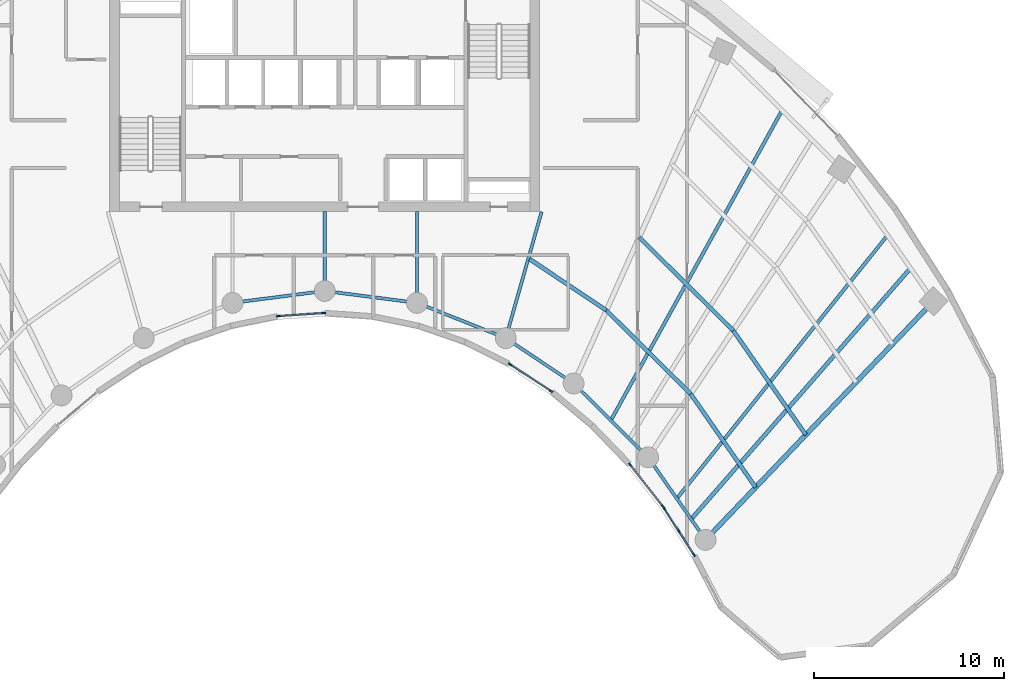
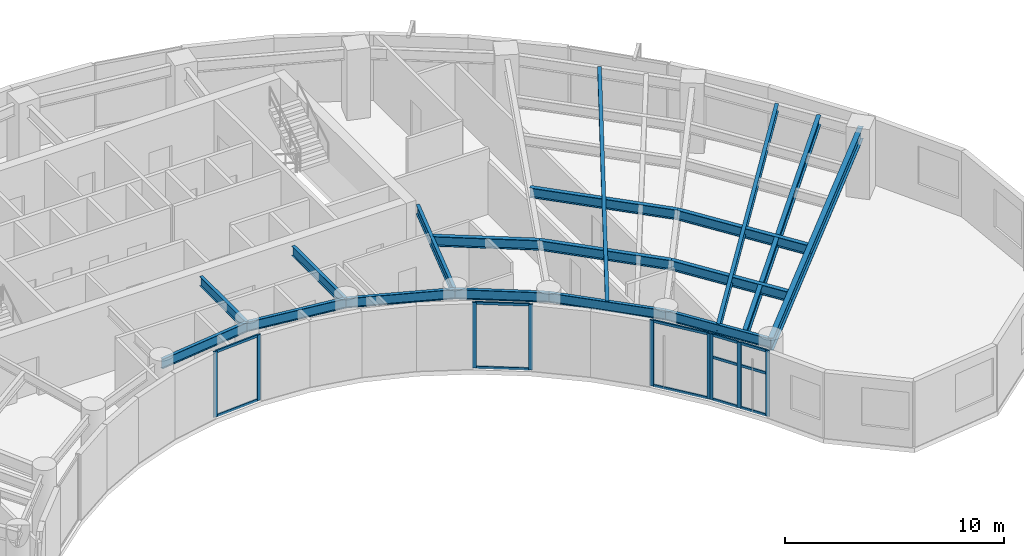
# One storey, part 3 of 13: 21 members, 18 beams, 4 elements without a shape of their own.
"""IFC4 building model written with IfcOpenShell, lengths in metres."""

from ifc_helpers import new_model, si_unit, direction, frame, origin, origin_2d, place, context, subcontext, project, spatial, rectangle, i_section, extrude, source, transform, mapped, material, layer, layer_set, material_profile, profile_set, type_object, type_shapes, element, aggregate, save


model = new_model("IFC4")

# Units and contexts
model_context = context("Model", 3, precision=1e-05, world=origin(), true_north=direction((0.0, 1.0)))
body_context = subcontext(model_context, "Body", "Model", "MODEL_VIEW")
ifc_project = project(units=[si_unit("LENGTHUNIT", "METRE"), si_unit("AREAUNIT", "SQUARE_METRE"), si_unit("VOLUMEUNIT", "CUBIC_METRE"), si_unit("PLANEANGLEUNIT", "RADIAN"), si_unit("MASSUNIT", "GRAM", prefix="KILO")], contexts=[model_context])

# Site, building, storey
site_placement = place(None, origin())
site = spatial("IfcSite", under=ifc_project, at=site_placement, CompositionType="ELEMENT")
building_placement = place(site_placement, origin())
building = spatial("IfcBuilding", under=site, at=building_placement, Name="Breltana Convention Tower", CompositionType="ELEMENT")
storey_placement = place(building_placement, frame((0.0, 0.0, 166.199951171875)))
storey = spatial("IfcBuildingStorey", under=building, at=storey_placement, Name="L40", CompositionType="ELEMENT", Elevation=166.199951171875)

# Beams
ifc_material_1 = material(Name="Steel ASTM A992 Grade 50", Category="steel")
ifc_material_profile_1 = material_profile(ifc_material_1, i_section(OverallWidth=0.179931640625, OverallDepth=0.4130859375, WebThickness=0.009765625, FlangeThickness=0.01611328125, at=origin_2d()), Name="W16X50")
ifc_profile_set_1 = profile_set([ifc_material_profile_1], Name="Steel ASTM A992 Grade 50")
beam_type_1 = type_object("IfcBeamType", Name="BM-JSG-08", PredefinedType="JOIST", material=ifc_profile_set_1)
shared_shape_1 = source(origin(), body_context, "Body", "SweptSolid", [
    extrude(i_section(OverallWidth=0.179931640625, OverallDepth=0.4130859375, WebThickness=0.009765625, FlangeThickness=0.01611328125, at=origin_2d()), origin(), (0.0, 0.0, 1.0), 18.617431640625),
])
beam_1_placement = place(storey_placement, frame((63.038818359375, 49.234130859375, 3.443603515625), z_axis=(0.483405602507, 0.875396495004, 0.0), x_axis=(-0.875396495004, 0.483405602507, 0.0)))
element("IfcBeam", 1, at=beam_1_placement, inside=storey, type_object=beam_type_1, Name="L40 Mid-Bay Radial Trimmer 09", PredefinedType="JOIST", context=body_context, shape_type="MappedRepresentation", body=[
    mapped(shared_shape_1, transform((0.0, 0.0, 0.0), scale=1.0)),
])
shared_shape_2 = source(origin(), body_context, "Body", "SweptSolid", [
    extrude(i_section(OverallWidth=0.179931640625, OverallDepth=0.4130859375, WebThickness=0.009765625, FlangeThickness=0.01611328125, at=origin_2d()), origin(), (0.0, 0.0, 1.0), 17.7236328125),
])
beam_2_placement = place(storey_placement, frame((66.505615234375, 45.124267578125, 3.443603515625), z_axis=(0.624829427563, 0.78076128647, 0.0), x_axis=(-0.78076128647, 0.624829427563, 0.0)))
element("IfcBeam", 2, at=beam_2_placement, inside=storey, type_object=beam_type_1, Name="L40 Mid-Bay Radial Trimmer 10", PredefinedType="JOIST", context=body_context, shape_type="MappedRepresentation", body=[
    mapped(shared_shape_2, transform((0.0, 0.0, 0.0), scale=1.0)),
])
ifc_material_profile_2 = material_profile(ifc_material_1, i_section(OverallWidth=0.214111328125, OverallDepth=0.549072265625, WebThickness=0.0146484375, FlangeThickness=0.023681640625, at=origin_2d()), Name="W21X93")
ifc_profile_set_2 = profile_set([ifc_material_profile_2], Name="Steel ASTM A992 Grade 50")
beam_type_2 = type_object("IfcBeamType", Name="BM-JSG-03", PredefinedType="JOIST", material=ifc_profile_set_2)
shared_shape_3 = source(origin(), body_context, "Body", "SweptSolid", [
    extrude(i_section(OverallWidth=0.214111328125, OverallDepth=0.549072265625, WebThickness=0.0146484375, FlangeThickness=0.023681640625, at=origin_2d()), origin(), (0.0, 0.0, 1.0), 17.515625),
])
beam_3_placement = place(storey_placement, frame((67.260498046875, 44.03955078125, 3.37548828125), z_axis=(0.658051548324, 0.752972881151, 0.0), x_axis=(-0.752972881151, 0.658051548324, 0.0)))
element("IfcBeam", 3, at=beam_3_placement, inside=storey, type_object=beam_type_2, Name="L40 Quarter-Bay Radial Trimmer 10", PredefinedType="JOIST", context=body_context, shape_type="MappedRepresentation", body=[
    mapped(shared_shape_3, transform((0.0, 0.0, 0.0), scale=1.0)),
])
shared_shape_4 = source(origin(), body_context, "Body", "SweptSolid", [
    extrude(i_section(OverallWidth=0.214111328125, OverallDepth=0.549072265625, WebThickness=0.0146484375, FlangeThickness=0.023681640625, at=origin_2d()), origin(), (0.0, 0.0, 1.0), 4.854736328125),
])
beam_4_placement = place(storey_placement, frame((58.767578125, 57.71240234375, 3.37548828125), z_axis=(0.831485074305, -0.555547091801, 0.0), x_axis=(0.555547091801, 0.831485074305, 0.0)))
element("IfcBeam", 4, at=beam_4_placement, inside=storey, type_object=beam_type_2, Name="L40 Composite Floor Joist 08.1", PredefinedType="JOIST", context=body_context, shape_type="MappedRepresentation", body=[
    mapped(shared_shape_4, transform((0.0, 0.0, 0.0), scale=1.0)),
])
shared_shape_5 = source(origin(), body_context, "Body", "SweptSolid", [
    extrude(i_section(OverallWidth=0.214111328125, OverallDepth=0.549072265625, WebThickness=0.0146484375, FlangeThickness=0.023681640625, at=origin_2d()), origin(), (0.0, 0.0, 1.0), 6.2373046875),
])
beam_5_placement = place(storey_placement, frame((62.80419921875, 55.015380859375, 3.37548828125), z_axis=(0.710114292485, -0.704086423394, 0.0), x_axis=(0.704086423394, 0.710114292485, 0.0)))
element("IfcBeam", 5, at=beam_5_placement, inside=storey, type_object=beam_type_2, Name="L40 Composite Floor Joist 09.1", PredefinedType="JOIST", context=body_context, shape_type="MappedRepresentation", body=[
    mapped(shared_shape_5, transform((0.0, 0.0, 0.0), scale=1.0)),
])
shared_shape_6 = source(origin(), body_context, "Body", "SweptSolid", [
    extrude(i_section(OverallWidth=0.214111328125, OverallDepth=0.549072265625, WebThickness=0.0146484375, FlangeThickness=0.023681640625, at=origin_2d()), origin(), (0.0, 0.0, 1.0), 6.963134765625),
])
beam_6_placement = place(storey_placement, frame((64.526611328125, 58.8564453125, 3.37548828125), z_axis=(0.71009817493, -0.704102678564, 0.0), x_axis=(0.704102678564, 0.71009817493, 0.0)))
element("IfcBeam", 6, at=beam_6_placement, inside=storey, type_object=beam_type_2, Name="L40 Composite Floor Joist 09.2", PredefinedType="JOIST", context=body_context, shape_type="MappedRepresentation", body=[
    mapped(shared_shape_6, transform((0.0, 0.0, 0.0), scale=1.0)),
])
shared_shape_7 = source(origin(), body_context, "Body", "SweptSolid", [
    extrude(i_section(OverallWidth=0.214111328125, OverallDepth=0.549072265625, WebThickness=0.0146484375, FlangeThickness=0.023681640625, at=origin_2d()), origin(), (0.0, 0.0, 1.0), 5.982421875),
])
beam_7_placement = place(storey_placement, frame((67.2333984375, 50.623779296875, 3.37548828125), z_axis=(0.571211549446, -0.82080287876, 0.0), x_axis=(0.82080287876, 0.571211549446, 0.0)))
element("IfcBeam", 7, at=beam_7_placement, inside=storey, type_object=beam_type_2, Name="L40 Composite Floor Joist 10.1", PredefinedType="JOIST", context=body_context, shape_type="MappedRepresentation", body=[
    mapped(shared_shape_7, transform((0.0, 0.0, 0.0), scale=1.0)),
])
shared_shape_8 = source(origin(), body_context, "Body", "SweptSolid", [
    extrude(i_section(OverallWidth=0.214111328125, OverallDepth=0.549072265625, WebThickness=0.0146484375, FlangeThickness=0.023681640625, at=origin_2d()), origin(), (0.0, 0.0, 1.0), 6.677978515625),
])
beam_8_placement = place(storey_placement, frame((69.47119140625, 53.95361328125, 3.37548828125), z_axis=(0.571193018768, -0.820815774282, 0.0), x_axis=(0.820815774282, 0.571193018768, 0.0)))
element("IfcBeam", 8, at=beam_8_placement, inside=storey, type_object=beam_type_2, Name="L40 Composite Floor Joist 10.2", PredefinedType="JOIST", context=body_context, shape_type="MappedRepresentation", body=[
    mapped(shared_shape_8, transform((0.0, 0.0, 0.0), scale=1.0)),
])
ifc_material_profile_3 = material_profile(ifc_material_1, i_section(OverallWidth=0.25390625, OverallDepth=0.68798828125, WebThickness=0.01318359375, FlangeThickness=0.02099609375, at=origin_2d()), Name="W27X102")
ifc_profile_set_3 = profile_set([ifc_material_profile_3], Name="Steel ASTM A992 Grade 50")
beam_type_3 = type_object("IfcBeamType", Name="BM-RG-W27X102", PredefinedType="USERDEFINED", material=ifc_profile_set_3)
shared_shape_9 = source(origin(), body_context, "Body", "SweptSolid", [
    extrude(i_section(OverallWidth=0.25390625, OverallDepth=0.68798828125, WebThickness=0.01318359375, FlangeThickness=0.02099609375, at=origin_2d()), origin(), (0.0, 0.0, 1.0), 17.341064453125),
])
type_shapes(beam_type_3, [shared_shape_9])
beam_9_placement = place(storey_placement, frame((68.015380859375, 42.95458984375, 3.30615234375), z_axis=(0.690716462293, 0.723125693581, 0.0), x_axis=(-0.723125693581, 0.690716462293, 0.0)))
element("IfcBeam", 9, at=beam_9_placement, inside=storey, type_object=beam_type_3, Name="L40 Radial Floor Girder R11", ObjectType="GIRDER", PredefinedType="USERDEFINED", context=body_context, shape_type="MappedRepresentation", body=[
    mapped(shared_shape_9, transform((0.0, 0.0, 0.0), scale=1.0)),
])
ifc_material_profile_4 = material_profile(ifc_material_1, i_section(OverallWidth=0.166015625, OverallDepth=0.534912109375, WebThickness=0.01025390625, FlangeThickness=0.0166015625, at=origin_2d()), Name="W21X57")
ifc_profile_set_4 = profile_set([ifc_material_profile_4], Name="Steel ASTM A992 Grade 50")
beam_type_4 = type_object("IfcBeamType", Name="BM-BM-W21X57", PredefinedType="BEAM", material=ifc_profile_set_4)
shared_shape_10 = source(origin(), body_context, "Body", "SweptSolid", [
    extrude(i_section(OverallWidth=0.166015625, OverallDepth=0.534912109375, WebThickness=0.01025390625, FlangeThickness=0.0166015625, at=origin_2d()), origin(), (0.0, 0.0, 1.0), 6.904541015625),
])
type_shapes(beam_type_4, [shared_shape_10])
beam_10_placement = place(storey_placement, frame((59.39990234375, 60.199951171875, 3.382568359375), z_axis=(-0.273006781054, -0.962012108811, 0.0), x_axis=(0.962012108811, -0.273006781054, 0.0)))
element("IfcBeam", 10, at=beam_10_placement, inside=storey, type_object=beam_type_4, Name="L40 South Core Tie Girder R08", PredefinedType="BEAM", context=body_context, shape_type="MappedRepresentation", body=[
    mapped(shared_shape_10, transform((0.0, 0.0, 0.0), scale=1.0)),
])
shared_shape_11 = source(origin(), body_context, "Body", "SweptSolid", [
    extrude(i_section(OverallWidth=0.166015625, OverallDepth=0.534912109375, WebThickness=0.01025390625, FlangeThickness=0.0166015625, at=origin_2d()), origin(), (0.0, 0.0, 1.0), 4.789306640625),
])
beam_11_placement = place(storey_placement, frame((52.846435546875, 60.199951171875, 3.382568359375), z_axis=(0.0, -1.0, 0.0), x_axis=(1.0, 0.0, 0.0)))
element("IfcBeam", 11, at=beam_11_placement, inside=storey, type_object=beam_type_4, Name="L40 South Core Tie Girder R07", PredefinedType="BEAM", context=body_context, shape_type="MappedRepresentation", body=[
    mapped(shared_shape_11, transform((0.0, 0.0, 0.0), scale=1.0)),
])
shared_shape_12 = source(origin(), body_context, "Body", "SweptSolid", [
    extrude(i_section(OverallWidth=0.166015625, OverallDepth=0.534912109375, WebThickness=0.01025390625, FlangeThickness=0.0166015625, at=origin_2d()), origin(), (0.0, 0.0, 1.0), 4.1640625),
])
beam_12_placement = place(storey_placement, frame((48.0, 60.199951171875, 3.382568359375), z_axis=(0.0, -1.0, 0.0), x_axis=(1.0, 0.0, 0.0)))
element("IfcBeam", 12, at=beam_12_placement, inside=storey, type_object=beam_type_4, Name="L40 South Core Tie Girder R06", PredefinedType="BEAM", context=body_context, shape_type="MappedRepresentation", body=[
    mapped(shared_shape_12, transform((0.0, 0.0, 0.0), scale=1.0)),
])
shared_shape_13 = source(origin(), body_context, "Body", "SweptSolid", [
    extrude(i_section(OverallWidth=0.166015625, OverallDepth=0.534912109375, WebThickness=0.01025390625, FlangeThickness=0.0166015625, at=origin_2d()), origin(), (0.0, 0.0, 1.0), 5.022705078125),
])
beam_13_placement = place(storey_placement, frame((52.846435546875, 55.41064453125, 3.382568359375), z_axis=(0.929458966248, -0.368925507469, 0.0), x_axis=(0.368925507469, 0.929458966248, 0.0)))
element("IfcBeam", 13, at=beam_13_placement, inside=storey, type_object=beam_type_4, Name="L40 Inner Ring Beam 07", PredefinedType="BEAM", context=body_context, shape_type="MappedRepresentation", body=[
    mapped(shared_shape_13, transform((0.0, 0.0, 0.0), scale=1.0)),
])
shared_shape_14 = source(origin(), body_context, "Body", "SweptSolid", [
    extrude(i_section(OverallWidth=0.166015625, OverallDepth=0.534912109375, WebThickness=0.01025390625, FlangeThickness=0.0166015625, at=origin_2d()), origin(), (0.0, 0.0, 1.0), 4.88671875),
])
for number, where, z_axis, x_axis, name in (
    (14, (43.153564453125, 55.41064453125, 3.382568359375), (0.991780525565, 0.127950729231, 0.0), (-0.127950729231, 0.991780525565, 0.0), "L40 Inner Ring Beam 05"),
    (15, (48.0, 56.035888671875, 3.382568359375), (0.991780525565, -0.127950729231, 0.0), (0.127950729231, 0.991780525565, 0.0), "L40 Inner Ring Beam 06"),
):
    element("IfcBeam", number, at=place(storey_placement, frame(where, z_axis=z_axis, x_axis=x_axis)), inside=storey, type_object=beam_type_4, Name=name, PredefinedType="BEAM", context=body_context, shape_type="MappedRepresentation", body=[
        mapped(shared_shape_14, transform((0.0, 0.0, 0.0), scale=1.0)),
    ])
shared_shape_15 = source(origin(), body_context, "Body", "SweptSolid", [
    extrude(i_section(OverallWidth=0.166015625, OverallDepth=0.534912109375, WebThickness=0.01025390625, FlangeThickness=0.0166015625, at=origin_2d()), origin(), (0.0, 0.0, 1.0), 4.2900390625),
])
beam_14_placement = place(storey_placement, frame((57.514892578125, 53.5576171875, 3.382568359375), z_axis=(0.831515827753, -0.555501060482, 0.0), x_axis=(0.555501060482, 0.831515827753, 0.0)))
element("IfcBeam", 16, at=beam_14_placement, inside=storey, type_object=beam_type_4, Name="L40 Inner Ring Beam 08", PredefinedType="BEAM", context=body_context, shape_type="MappedRepresentation", body=[
    mapped(shared_shape_15, transform((0.0, 0.0, 0.0), scale=1.0)),
])
shared_shape_16 = source(origin(), body_context, "Body", "SweptSolid", [
    extrude(i_section(OverallWidth=0.166015625, OverallDepth=0.534912109375, WebThickness=0.01025390625, FlangeThickness=0.0166015625, at=origin_2d()), origin(), (0.0, 0.0, 1.0), 5.51171875),
])
beam_15_placement = place(storey_placement, frame((61.08203125, 51.174560546875, 3.382568359375), z_axis=(0.710090360749, -0.704110559196, 0.0), x_axis=(0.704110559196, 0.710090360749, 0.0)))
element("IfcBeam", 17, at=beam_15_placement, inside=storey, type_object=beam_type_4, Name="L40 Inner Ring Beam 09", PredefinedType="BEAM", context=body_context, shape_type="MappedRepresentation", body=[
    mapped(shared_shape_16, transform((0.0, 0.0, 0.0), scale=1.0)),
])
shared_shape_17 = source(origin(), body_context, "Body", "SweptSolid", [
    extrude(i_section(OverallWidth=0.166015625, OverallDepth=0.534912109375, WebThickness=0.01025390625, FlangeThickness=0.0166015625, at=origin_2d()), origin(), (0.0, 0.0, 1.0), 5.286376953125),
])
beam_16_placement = place(storey_placement, frame((64.995849609375, 47.293701171875, 3.382568359375), z_axis=(0.571194382458, -0.82081482531, 0.0), x_axis=(0.82081482531, 0.571194382458, 0.0)))
element("IfcBeam", 18, at=beam_16_placement, inside=storey, type_object=beam_type_4, Name="L40 Inner Ring Beam 10", PredefinedType="BEAM", context=body_context, shape_type="MappedRepresentation", body=[
    mapped(shared_shape_17, transform((0.0, 0.0, 0.0), scale=1.0)),
])

# Curtain wall, members
ifc_material_2 = material(Name="Aluminium Anodised Bronze Frame", Category="aluminium")
ifc_layer = layer(ifc_material_2, 0.18994140625, Name="Aluminium Anodised Bronze Frame")
ifc_layer_set = layer_set([ifc_layer], Name="Aluminium Anodised Bronze Frame")
curtain_wall_type = type_object("IfcCurtainWallType", Name="CW-SYS-1", PredefinedType="NOTDEFINED", material=ifc_layer_set)
curtain_wall_1_placement = place(storey_placement, origin())
curtain_wall_1 = element("IfcCurtainWall", 19, at=curtain_wall_1_placement, inside=storey, type_object=curtain_wall_type, Name="L40 inner south-court glazing 1", PredefinedType="NOTDEFINED")
ifc_material_3 = material(Name="Aluminium Anodised Bronze", Category="aluminium")
ifc_material_profile_5 = material_profile(ifc_material_3, rectangle(XDim=0.080078125, YDim=0.199951171875, at=origin_2d()), Name="CWM-80X200")
ifc_profile_set_5 = profile_set([ifc_material_profile_5], Name="Aluminium Anodised Bronze")
member_type_1 = type_object("IfcMemberType", Name="CWM-200", PredefinedType="MULLION", material=ifc_profile_set_5)
shared_shape_18 = source(origin(), body_context, "Body", "SweptSolid", [
    extrude(rectangle(XDim=0.080078125, YDim=0.199951171875, at=origin_2d()), origin(), (0.0, 0.0, 1.0), 3.650146484375),
])
member_1_placement = place(storey_placement, frame((67.40966796875, 42.17041015625, 0.0), z_axis=(0.0, 0.0, 1.0), x_axis=(-0.841546744491, -0.540184298954, 0.0)))
member_1 = element("IfcMember", 20, at=member_1_placement, type_object=member_type_1, Name="CW-01 mullion 1", PredefinedType="MULLION", context=body_context, shape_type="MappedRepresentation", body=[
    mapped(shared_shape_18, transform((0.0, 0.0, 0.0), scale=1.0)),
])
member_2_placement = place(storey_placement, frame((66.626220703125, 43.390869140625, 0.0), z_axis=(0.0, 0.0, 1.0), x_axis=(-0.841546744491, -0.540184298954, 0.0)))
member_2 = element("IfcMember", 21, at=member_2_placement, type_object=member_type_1, Name="CW-01 mullion 2", PredefinedType="MULLION", context=body_context, shape_type="MappedRepresentation", body=[
    mapped(shared_shape_18, transform((0.0, 0.0, 0.0), scale=1.0)),
])
member_3_placement = place(storey_placement, frame((65.843017578125, 44.611328125, 0.0), z_axis=(0.0, 0.0, 1.0), x_axis=(-0.841546744491, -0.540184298954, 0.0)))
member_3 = element("IfcMember", 22, at=member_3_placement, type_object=member_type_1, Name="CW-01 mullion 3", PredefinedType="MULLION", context=body_context, shape_type="MappedRepresentation", body=[
    mapped(shared_shape_18, transform((0.0, 0.0, 0.0), scale=1.0)),
])

curtain_wall_2_placement = place(storey_placement, origin())
curtain_wall_2 = element("IfcCurtainWall", 23, at=curtain_wall_2_placement, inside=storey, type_object=curtain_wall_type, Name="L40 inner south-court glazing 2", PredefinedType="NOTDEFINED")
member_4_placement = place(storey_placement, frame((65.78662109375, 44.6904296875, 0.0), z_axis=(0.0, 0.0, 1.0), x_axis=(-0.786051168431, -0.618161435717, 0.0)))
member_4 = element("IfcMember", 24, at=member_4_placement, type_object=member_type_1, Name="CW-01 mullion 1", PredefinedType="MULLION", context=body_context, shape_type="MappedRepresentation", body=[
    mapped(shared_shape_18, transform((0.0, 0.0, 0.0), scale=1.0)),
])
member_5_placement = place(storey_placement, frame((64.045166015625, 46.905029296875, 0.0), z_axis=(0.0, 0.0, 1.0), x_axis=(-0.786051168431, -0.618161435717, 0.0)))
member_5 = element("IfcMember", 25, at=member_5_placement, type_object=member_type_1, Name="CW-01 mullion 2", PredefinedType="MULLION", context=body_context, shape_type="MappedRepresentation", body=[
    mapped(shared_shape_18, transform((0.0, 0.0, 0.0), scale=1.0)),
])

curtain_wall_3_placement = place(storey_placement, origin())
curtain_wall_3 = element("IfcCurtainWall", 26, at=curtain_wall_3_placement, inside=storey, type_object=curtain_wall_type, Name="L40 inner south-court glazing 3", PredefinedType="NOTDEFINED")
member_6_placement = place(storey_placement, frame((59.894775390625, 50.76904296875, 0.0), z_axis=(0.0, 0.0, 1.0), x_axis=(-0.548751973252, -0.835985210307, 0.0)))
member_6 = element("IfcMember", 27, at=member_6_placement, type_object=member_type_1, Name="CW-01 mullion 1", PredefinedType="MULLION", context=body_context, shape_type="MappedRepresentation", body=[
    mapped(shared_shape_18, transform((0.0, 0.0, 0.0), scale=1.0)),
])
member_7_placement = place(storey_placement, frame((57.744384765625, 52.1806640625, 0.0), z_axis=(0.0, 0.0, 1.0), x_axis=(-0.548751973252, -0.835985210307, 0.0)))
member_7 = element("IfcMember", 28, at=member_7_placement, type_object=member_type_1, Name="CW-01 mullion 2", PredefinedType="MULLION", context=body_context, shape_type="MappedRepresentation", body=[
    mapped(shared_shape_18, transform((0.0, 0.0, 0.0), scale=1.0)),
])

curtain_wall_4_placement = place(storey_placement, origin())
curtain_wall_4 = element("IfcCurtainWall", 29, at=curtain_wall_4_placement, inside=storey, type_object=curtain_wall_type, Name="L40 inner south-court glazing 4", PredefinedType="NOTDEFINED")
member_8_placement = place(storey_placement, frame((47.947998046875, 54.872802734375, 0.0), z_axis=(0.0, 0.0, 1.0), x_axis=(0.067732810965, -0.997703496195, 0.0)))
member_8 = element("IfcMember", 30, at=member_8_placement, type_object=member_type_1, Name="CW-01 mullion 1", PredefinedType="MULLION", context=body_context, shape_type="MappedRepresentation", body=[
    mapped(shared_shape_18, transform((0.0, 0.0, 0.0), scale=1.0)),
])
member_9_placement = place(storey_placement, frame((45.56201171875, 54.7109375, 0.0), z_axis=(0.0, 0.0, 1.0), x_axis=(0.067732810965, -0.997703496195, 0.0)))
member_9 = element("IfcMember", 31, at=member_9_placement, type_object=member_type_1, Name="CW-01 mullion 2", PredefinedType="MULLION", context=body_context, shape_type="MappedRepresentation", body=[
    mapped(shared_shape_18, transform((0.0, 0.0, 0.0), scale=1.0)),
])

# Member
ifc_material_profile_6 = material_profile(ifc_material_3, rectangle(XDim=0.080078125, YDim=0.139892578125, at=origin_2d()), Name="CWT-80X140")
ifc_profile_set_6 = profile_set([ifc_material_profile_6], Name="Aluminium Anodised Bronze")
member_type_2 = type_object("IfcMemberType", Name="CWT-140", PredefinedType="USERDEFINED", material=ifc_profile_set_6)
shared_shape_19 = source(origin(), body_context, "Body", "SweptSolid", [
    extrude(rectangle(XDim=0.080078125, YDim=0.139892578125, at=origin_2d()), origin(), (0.0, 0.0, 1.0), 1.3701171875),
])
member_10_placement = place(storey_placement, frame((67.38818359375, 42.2041015625, 0.0400390625), z_axis=(-0.540226175019, 0.841519863, 0.0), x_axis=(-0.841519863, -0.540226175019, 0.0)))
member_10 = element("IfcMember", 32, at=member_10_placement, type_object=member_type_2, Name="CW-01 transom 1.1", ObjectType="TRANSOM", PredefinedType="USERDEFINED", context=body_context, shape_type="MappedRepresentation", body=[
    mapped(shared_shape_19, transform((0.0, 0.0, 0.0), scale=1.0)),
])

member_11_placement = place(storey_placement, frame((67.38818359375, 42.2041015625, 2.37255859375), z_axis=(-0.540226175019, 0.841519863, 0.0), x_axis=(-0.841519863, -0.540226175019, 0.0)))
member_11 = element("IfcMember", 33, at=member_11_placement, type_object=member_type_2, Name="CW-01 transom 1.2", ObjectType="TRANSOM", PredefinedType="USERDEFINED", context=body_context, shape_type="MappedRepresentation", body=[
    mapped(shared_shape_19, transform((0.0, 0.0, 0.0), scale=1.0)),
])

member_12_placement = place(storey_placement, frame((67.38818359375, 42.2041015625, 3.610107421875), z_axis=(-0.540226175019, 0.841519863, 0.0), x_axis=(-0.841519863, -0.540226175019, 0.0)))
member_12 = element("IfcMember", 34, at=member_12_placement, type_object=member_type_2, Name="CW-01 transom 1.3", ObjectType="TRANSOM", PredefinedType="USERDEFINED", context=body_context, shape_type="MappedRepresentation", body=[
    mapped(shared_shape_19, transform((0.0, 0.0, 0.0), scale=1.0)),
])

member_13_placement = place(storey_placement, frame((66.604736328125, 43.424560546875, 0.0400390625), z_axis=(-0.540226175019, 0.841519863, 0.0), x_axis=(-0.841519863, -0.540226175019, 0.0)))
member_13 = element("IfcMember", 35, at=member_13_placement, type_object=member_type_2, Name="CW-01 transom 2.1", ObjectType="TRANSOM", PredefinedType="USERDEFINED", context=body_context, shape_type="MappedRepresentation", body=[
    mapped(shared_shape_19, transform((0.0, 0.0, 0.0), scale=1.0)),
])

member_14_placement = place(storey_placement, frame((66.604736328125, 43.424560546875, 2.37255859375), z_axis=(-0.540226175019, 0.841519863, 0.0), x_axis=(-0.841519863, -0.540226175019, 0.0)))
member_14 = element("IfcMember", 36, at=member_14_placement, type_object=member_type_2, Name="CW-01 transom 2.2", ObjectType="TRANSOM", PredefinedType="USERDEFINED", context=body_context, shape_type="MappedRepresentation", body=[
    mapped(shared_shape_19, transform((0.0, 0.0, 0.0), scale=1.0)),
])

member_15_placement = place(storey_placement, frame((66.604736328125, 43.424560546875, 3.610107421875), z_axis=(-0.540226175019, 0.841519863, 0.0), x_axis=(-0.841519863, -0.540226175019, 0.0)))
member_15 = element("IfcMember", 37, at=member_15_placement, type_object=member_type_2, Name="CW-01 transom 2.3", ObjectType="TRANSOM", PredefinedType="USERDEFINED", context=body_context, shape_type="MappedRepresentation", body=[
    mapped(shared_shape_19, transform((0.0, 0.0, 0.0), scale=1.0)),
])

aggregate(curtain_wall_1, [member_1, member_2, member_3, member_10, member_11, member_12, member_13, member_14, member_15])

shared_shape_20 = source(origin(), body_context, "Body", "SweptSolid", [
    extrude(rectangle(XDim=0.080078125, YDim=0.139892578125, at=origin_2d()), origin(), (0.0, 0.0, 1.0), 2.7373046875),
])
member_16_placement = place(storey_placement, frame((65.761962890625, 44.721923828125, 0.0400390625), z_axis=(-0.618179938224, 0.786036617453, 0.0), x_axis=(-0.786036617453, -0.618179938224, 0.0)))
member_16 = element("IfcMember", 38, at=member_16_placement, type_object=member_type_2, Name="CW-01 transom 1.1", ObjectType="TRANSOM", PredefinedType="USERDEFINED", context=body_context, shape_type="MappedRepresentation", body=[
    mapped(shared_shape_20, transform((0.0, 0.0, 0.0), scale=1.0)),
])

member_17_placement = place(storey_placement, frame((65.761962890625, 44.721923828125, 3.610107421875), z_axis=(-0.618179938224, 0.786036617453, 0.0), x_axis=(-0.786036617453, -0.618179938224, 0.0)))
member_17 = element("IfcMember", 39, at=member_17_placement, type_object=member_type_2, Name="CW-01 transom 1.2", ObjectType="TRANSOM", PredefinedType="USERDEFINED", context=body_context, shape_type="MappedRepresentation", body=[
    mapped(shared_shape_20, transform((0.0, 0.0, 0.0), scale=1.0)),
])

aggregate(curtain_wall_2, [member_4, member_5, member_16, member_17])

shared_shape_21 = source(origin(), body_context, "Body", "SweptSolid", [
    extrude(rectangle(XDim=0.080078125, YDim=0.139892578125, at=origin_2d()), origin(), (0.0, 0.0, 1.0), 2.4921875),
])
member_18_placement = place(storey_placement, frame((59.861328125, 50.791015625, 0.0400390625), z_axis=(-0.83597769484, 0.548763422369, 0.0), x_axis=(-0.548763422369, -0.83597769484, 0.0)))
member_18 = element("IfcMember", 40, at=member_18_placement, type_object=member_type_2, Name="CW-01 transom 1.1", ObjectType="TRANSOM", PredefinedType="USERDEFINED", context=body_context, shape_type="MappedRepresentation", body=[
    mapped(shared_shape_21, transform((0.0, 0.0, 0.0), scale=1.0)),
])

member_19_placement = place(storey_placement, frame((59.861328125, 50.791015625, 3.610107421875), z_axis=(-0.83597769484, 0.548763422369, 0.0), x_axis=(-0.548763422369, -0.83597769484, 0.0)))
member_19 = element("IfcMember", 41, at=member_19_placement, type_object=member_type_2, Name="CW-01 transom 1.2", ObjectType="TRANSOM", PredefinedType="USERDEFINED", context=body_context, shape_type="MappedRepresentation", body=[
    mapped(shared_shape_21, transform((0.0, 0.0, 0.0), scale=1.0)),
])

aggregate(curtain_wall_3, [member_6, member_7, member_18, member_19])

shared_shape_22 = source(origin(), body_context, "Body", "SweptSolid", [
    extrude(rectangle(XDim=0.080078125, YDim=0.139892578125, at=origin_2d()), origin(), (0.0, 0.0, 1.0), 2.3115234375),
])
member_20_placement = place(storey_placement, frame((47.907958984375, 54.8701171875, 0.0400390625), z_axis=(-0.997705471663, -0.067703706049, 0.0), x_axis=(0.067703706049, -0.997705471663, 0.0)))
member_20 = element("IfcMember", 42, at=member_20_placement, type_object=member_type_2, Name="CW-01 transom 1.1", ObjectType="TRANSOM", PredefinedType="USERDEFINED", context=body_context, shape_type="MappedRepresentation", body=[
    mapped(shared_shape_22, transform((0.0, 0.0, 0.0), scale=1.0)),
])

member_21_placement = place(storey_placement, frame((47.907958984375, 54.8701171875, 3.610107421875), z_axis=(-0.997705471663, -0.067703706049, 0.0), x_axis=(0.067703706049, -0.997705471663, 0.0)))
member_21 = element("IfcMember", 43, at=member_21_placement, type_object=member_type_2, Name="CW-01 transom 1.2", ObjectType="TRANSOM", PredefinedType="USERDEFINED", context=body_context, shape_type="MappedRepresentation", body=[
    mapped(shared_shape_22, transform((0.0, 0.0, 0.0), scale=1.0)),
])

aggregate(curtain_wall_4, [member_8, member_9, member_20, member_21])

save(model, "model.ifc")
